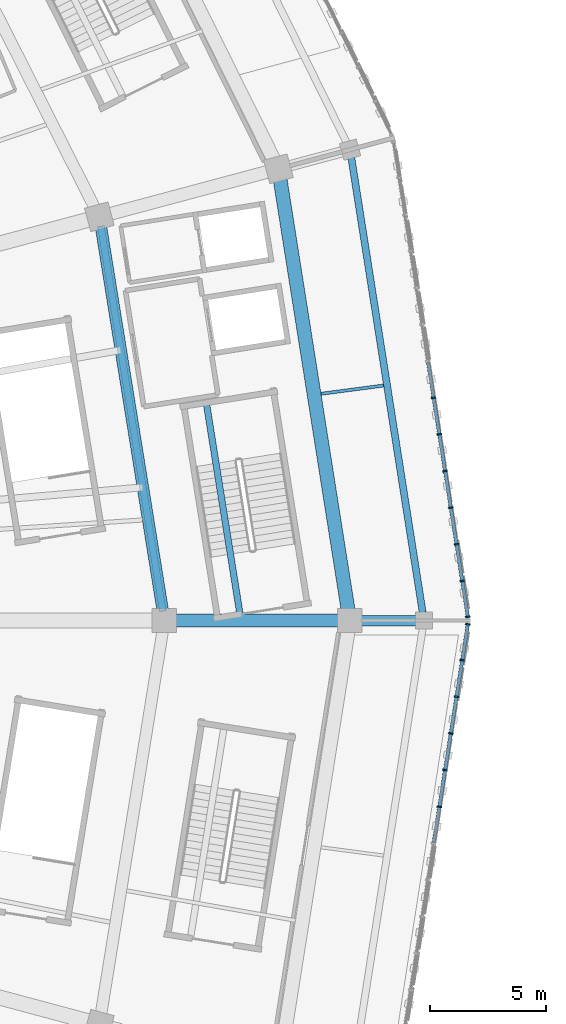
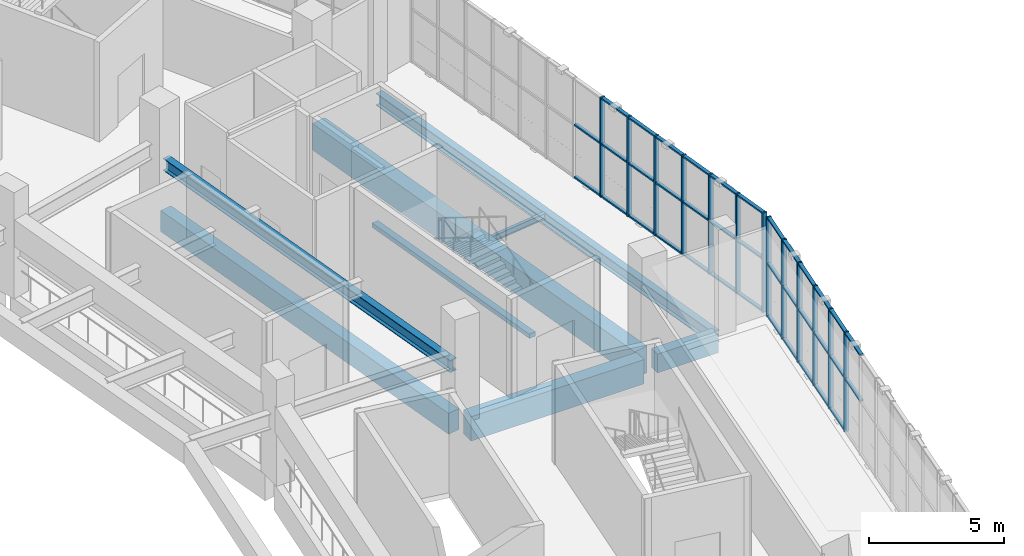
# One storey, part 42 of 179: 50 members, 8 beams, 2 elements without a shape of their own.
"""IFC4 building model written with IfcOpenShell, lengths in metres."""

import ifcopenshell
import ifcopenshell.guid

model = None  # the IFC model being written
_history = None  # IfcOwnerHistory: only IFC2X3 demands one
_inside = {}  # id of a spatial element -> (the spatial element, [elements in it])
_under = {}  # id of a project, library or spatial element -> (it, [spatial elements below it])
_declared = {}  # id of a project -> (the project, [libraries it declares])
_typed = {}  # id of a type object -> (the type object, [elements of that type])
_made_of = {}  # id of a material, layer set ... -> (it, [elements and type objects made of it])


def new_model(schema):
    """Start an empty IFC model of exactly this schema.

    Asked for "IFC4X3", IfcOpenShell would pick the latest addendum, in which some entities
    have other attributes; the version numbers below select the first issue.
    IFC2X3 requires an IfcOwnerHistory on every rooted entity: one is made here for all.
    """
    global model, _history
    if schema == "IFC4X3":
        model = ifcopenshell.file(schema_version=(4, 3, 0, 0))
    else:
        model = ifcopenshell.file(schema=schema)
    _inside.clear()
    _under.clear()
    _declared.clear()
    _typed.clear()
    _made_of.clear()
    _history = None
    if model.schema == "IFC2X3":
        org = make("IfcOrganization", Name="unknown")
        user = make(
            "IfcPersonAndOrganization",
            ThePerson=make("IfcPerson", FamilyName="unknown"),
            TheOrganization=org,
        )
        app = make(
            "IfcApplication",
            ApplicationDeveloper=org,
            Version="unknown",
            ApplicationFullName="unknown",
            ApplicationIdentifier="unknown",
        )
        _history = make(
            "IfcOwnerHistory",
            OwningUser=user,
            OwningApplication=app,
            ChangeAction="ADDED",
            CreationDate=0,
        )
    return model


def make(cls, **values):
    """One entity of the class cls with the attributes given. An attribute that is None is left unset."""
    return model.create_entity(
        cls, **{name: value for name, value in values.items() if value is not None}
    )


def rooted(cls, **values):
    """An entity with a GlobalId (a new one), such as an element, a storey or a relation."""
    return make(cls, GlobalId=ifcopenshell.guid.new(), OwnerHistory=_history, **values)


def si_unit(unit_type, name, prefix=None):
    """IfcSIUnit, for example si_unit("LENGTHUNIT", "METRE", prefix="MILLI")."""
    return make("IfcSIUnit", UnitType=unit_type, Prefix=prefix, Name=name)


def assignment(units):
    """IfcUnitAssignment: the units of a project."""
    return None if units is None else make("IfcUnitAssignment", Units=units)


def point(xyz):
    """IfcCartesianPoint."""
    return None if xyz is None else make("IfcCartesianPoint", Coordinates=xyz)


def direction(xyz):
    """IfcDirection."""
    return None if xyz is None else make("IfcDirection", DirectionRatios=xyz)


def frame(location, z_axis=None, x_axis=None):
    """IfcAxis2Placement3D, a coordinate frame: its origin and axes. An axis left out is left unset."""
    return make(
        "IfcAxis2Placement3D",
        Location=point(location),
        Axis=direction(z_axis),
        RefDirection=direction(x_axis),
    )


def frame_2d(location, x_axis=None):
    """IfcAxis2Placement2D, a coordinate frame in the plane: its origin and x axis."""
    return make(
        "IfcAxis2Placement2D", Location=point(location), RefDirection=direction(x_axis)
    )


def origin():
    """The frame at (0, 0, 0) with its axes left unset."""
    return frame((0.0, 0.0, 0.0))


def origin_2d():
    """The frame at (0, 0) in the plane with its x axis left unset."""
    return frame_2d((0.0, 0.0))


def place(relative_to, where):
    """IfcLocalPlacement: puts the frame where relative to a parent placement (None: the world)."""
    return make(
        "IfcLocalPlacement", PlacementRelTo=relative_to, RelativePlacement=where
    )


def context(
    kind, dimensions, precision=None, world=None, true_north=None, identifier=None
):
    """IfcGeometricRepresentationContext, for example the 3D "Model" context."""
    return make(
        "IfcGeometricRepresentationContext",
        ContextIdentifier=identifier,
        ContextType=kind,
        CoordinateSpaceDimension=dimensions,
        Precision=precision,
        WorldCoordinateSystem=world,
        TrueNorth=true_north,
    )


def subcontext(parent, identifier, kind, view, scale=None):
    """IfcGeometricRepresentationSubContext, for example "Body" below "Model"."""
    return make(
        "IfcGeometricRepresentationSubContext",
        ContextIdentifier=identifier,
        ContextType=kind,
        ParentContext=parent,
        TargetScale=scale,
        TargetView=view,
    )


def project(units=None, contexts=None):
    """IfcProject with its units and contexts."""
    return rooted(
        "IfcProject",
        Name="project",
        RepresentationContexts=contexts,
        UnitsInContext=assignment(units),
    )


def spatial(cls, under=None, at=None, **own):
    """A site, building, storey or space (cls), placed at a placement, below another one or the project."""
    s = rooted(cls, ObjectPlacement=at, **own)
    if under is not None:
        _under.setdefault(under.id(), (under, []))[1].append(s)
    return s


def profile(cls, at=None, kind="AREA", **sizes):
    """A parametric profile (cls). Its sizes go by their IFC names, for example OverallWidth=200.0."""
    return make(cls, ProfileType=kind, Position=at, **sizes)


def rectangle(**sizes):
    """IfcRectangleProfileDef."""
    return profile("IfcRectangleProfileDef", **sizes)


def i_section(**sizes):
    """IfcIShapeProfileDef."""
    return profile("IfcIShapeProfileDef", **sizes)


def extrude(swept, where, along, depth):
    """IfcExtrudedAreaSolid: the profile swept, set in the frame where, extruded along a direction by depth."""
    return make(
        "IfcExtrudedAreaSolid",
        SweptArea=swept,
        Position=where,
        ExtrudedDirection=direction(along),
        Depth=depth,
    )


def shape(context_of_items, identifier, shape_type, items):
    """IfcShapeRepresentation: the items that make up one representation, for example the "Body"."""
    return make(
        "IfcShapeRepresentation",
        ContextOfItems=context_of_items,
        RepresentationIdentifier=identifier,
        RepresentationType=shape_type,
        Items=items,
    )


def material(Name=None, Category=None):
    """IfcMaterial."""
    return make("IfcMaterial", Name=Name, Category=Category)


def material_profile(
    of_material, cross_section, Name=None, Category=None, Priority=None
):
    """IfcMaterialProfile: a cross section and its material."""
    return make(
        "IfcMaterialProfile",
        Name=Name,
        Material=of_material,
        Profile=cross_section,
        Priority=Priority,
        Category=Category,
    )


def profile_set(profiles, Name=None, composite=None):
    """IfcMaterialProfileSet."""
    return make(
        "IfcMaterialProfileSet",
        Name=Name,
        MaterialProfiles=profiles,
        CompositeProfile=composite,
    )


def made_of(thing, what):
    """Note that an element or type object is made of a material, layer set ...; save() writes the relation."""
    if what is not None:
        _made_of.setdefault(what.id(), (what, []))[1].append(thing)
    return thing


def type_object(cls, material=None, **own):
    """A type object (cls), such as IfcWallType, which elements share."""
    return made_of(rooted(cls, **own), material)


def element(
    cls,
    number,
    at=None,
    inside=None,
    cuts=None,
    type_object=None,
    material=None,
    context=None,
    identifier="Body",
    shape_type=None,
    held_by="IfcProductDefinitionShape",
    body=None,
    shapes=None,
    **own,
):
    """One element of the class cls, such as IfcWall. Its Tag is "e" and its number.

    at: its placement. inside: the storey or other place that contains it. cuts: it is an
    opening in that element (IfcRelVoidsElement). A single representation is given by context,
    identifier, shape_type and body (its items); several are given by shapes. held_by: the class
    of the entity that holds the representations. save() writes the other relations.
    """
    e = rooted(cls, Tag="e%d" % number, ObjectPlacement=at, **own)
    if body is not None:
        shapes = [shape(context, identifier, shape_type, body)]
    if shapes is not None:
        e.Representation = make(held_by, Representations=shapes)
    if inside is not None:
        _inside.setdefault(inside.id(), (inside, []))[1].append(e)
    if cuts is not None:
        rooted(
            "IfcRelVoidsElement", RelatingBuildingElement=cuts, RelatedOpeningElement=e
        )
    if type_object is not None:
        _typed.setdefault(type_object.id(), (type_object, []))[1].append(e)
    return made_of(e, material)


def aggregate(whole, parts):
    """IfcRelAggregates: a whole, such as a stair, and the parts it consists of."""
    return rooted("IfcRelAggregates", RelatingObject=whole, RelatedObjects=parts)


def save(model, path):
    """Write the relations noted so far, then the file.

    IfcRelAggregates (storeys below a building ...), IfcRelContainedInSpatialStructure (elements
    in a storey), IfcRelDefinesByType, IfcRelAssociatesMaterial and IfcRelDeclares: one each for
    every whole, place, type object, material and project.
    """
    for whole, parts in _under.values():
        aggregate(whole, parts)
    for where, things in _inside.values():
        rooted(
            "IfcRelContainedInSpatialStructure",
            RelatedElements=things,
            RelatingStructure=where,
        )
    for kind, things in _typed.values():
        rooted("IfcRelDefinesByType", RelatedObjects=things, RelatingType=kind)
    for what, things in _made_of.values():
        rooted("IfcRelAssociatesMaterial", RelatedObjects=things, RelatingMaterial=what)
    for by, libraries in _declared.values():
        rooted("IfcRelDeclares", RelatingContext=by, RelatedDefinitions=libraries)
    model.write(path)


model = new_model("IFC4")

# Units and contexts
model_context = context("Model", 3, precision=1e-05, world=origin(), true_north=direction((0.0, 1.0)))
body_context = subcontext(model_context, "Body", "Model", "MODEL_VIEW")
ifc_project = project(units=[si_unit("LENGTHUNIT", "METRE"), si_unit("AREAUNIT", "SQUARE_METRE"), si_unit("VOLUMEUNIT", "CUBIC_METRE"), si_unit("PLANEANGLEUNIT", "RADIAN"), si_unit("MASSUNIT", "GRAM", prefix="KILO")], contexts=[model_context])

# Site, building, storey
site_placement = place(None, origin())
site = spatial("IfcSite", under=ifc_project, at=site_placement, CompositionType="ELEMENT")
building_placement = place(site_placement, origin())
building = spatial("IfcBuilding", under=site, at=building_placement, Name="Zevraka Park Crest Stadium", CompositionType="ELEMENT")
storey_placement = place(building_placement, frame((0.0, 0.0, 10.199951171875)))
storey = spatial("IfcBuildingStorey", under=building, at=storey_placement, Name="L02", CompositionType="ELEMENT", Elevation=10.199951171875)

# Beams
ifc_material_1 = material(Name="Concrete C40/50", Category="concrete")
ifc_material_profile_1 = material_profile(ifc_material_1, rectangle(XDim=0.550048828125, YDim=1.10009765625, at=origin_2d()), Name="RC 1100x550")
ifc_profile_set_1 = profile_set([ifc_material_profile_1], Name="Concrete C40/50")
beam_type_1 = type_object("IfcBeamType", Name="BG02", PredefinedType="BEAM", material=ifc_profile_set_1)
beam_1_placement = place(storey_placement, frame((194.60009765625, 92.0, -0.56005859375), z_axis=(1.0, 0.0, 0.0), x_axis=(0.0, 1.0, 0.0)))
element("IfcBeam", 1, at=beam_1_placement, inside=storey, type_object=beam_type_1, Name="Radial Girder BG02 L02-CD-00", PredefinedType="BEAM", context=body_context, shape_type="SweptSolid", body=[
    extrude(rectangle(XDim=0.550048828125, YDim=1.10009765625, at=origin_2d()), origin(), (0.0, 0.0, 1.0), 7.39990234375),
])
ifc_material_2 = material(Name="Concrete C40/50", Category="concrete")
ifc_material_profile_2 = material_profile(ifc_material_2, rectangle(XDim=0.449951171875, YDim=0.85009765625, at=origin_2d()), Name="RC 850x450")
ifc_profile_set_2 = profile_set([ifc_material_profile_2], Name="Concrete C40/50")
beam_type_2 = type_object("IfcBeamType", Name="BG03", PredefinedType="BEAM", material=ifc_profile_set_2)
beam_2_placement = place(storey_placement, frame((202.60009765625, 92.0, -0.43505859375), z_axis=(1.0, 0.0, 0.0), x_axis=(0.0, 1.0, 0.0)))
element("IfcBeam", 2, at=beam_2_placement, inside=storey, type_object=beam_type_2, Name="Radial Girder BG03 L02-DE-00", PredefinedType="BEAM", context=body_context, shape_type="SweptSolid", body=[
    extrude(rectangle(XDim=0.449951171875, YDim=0.85009765625, at=origin_2d()), origin(), (0.0, 0.0, 1.0), 2.599853515625),
])

# Curtain wall, members
ifc_material_3 = material(Name="Anodised architectural aluminium and laminated safety glass", Category="aluminium")
curtain_wall_type = type_object("IfcCurtainWallType", Name="CW06", PredefinedType="NOTDEFINED", material=ifc_material_3)
curtain_wall_1_placement = place(storey_placement, origin())
curtain_wall_1 = element("IfcCurtainWall", 3, at=curtain_wall_1_placement, inside=storey, type_object=curtain_wall_type, Name="Unitised Ring Curtain Wall CW06 L02-00", PredefinedType="NOTDEFINED")
ifc_material_4 = material(Name="Anodised architectural aluminium", Category="aluminium")
ifc_material_profile_3 = material_profile(ifc_material_4, rectangle(XDim=0.199951171875, YDim=0.070068359375, at=origin_2d()), Name="ALU MULLION 200x70")
ifc_profile_set_3 = profile_set([ifc_material_profile_3], Name="Anodised architectural aluminium")
member_type_1 = type_object("IfcMemberType", Name="CM03", PredefinedType="MULLION", material=ifc_profile_set_3)
member_1_placement = place(storey_placement, frame((207.3935546875, 92.16064453125, 0.0), z_axis=(0.0, 0.0, 1.0), x_axis=(-0.988028063865, -0.154274252598, 0.0)))
member_1 = element("IfcMember", 4, at=member_1_placement, type_object=member_type_1, Name="CW06 mullion 1", PredefinedType="MULLION", context=body_context, shape_type="SweptSolid", body=[
    extrude(rectangle(XDim=0.199951171875, YDim=0.070068359375, at=origin_2d()), origin(), (0.0, 0.0, 1.0), 4.5),
])
member_2_placement = place(storey_placement, frame((207.152099609375, 93.707275390625, 0.0), z_axis=(0.0, 0.0, 1.0), x_axis=(-0.988028063865, -0.154274252598, 0.0)))
member_2 = element("IfcMember", 5, at=member_2_placement, type_object=member_type_1, Name="CW06 mullion 2", PredefinedType="MULLION", context=body_context, shape_type="SweptSolid", body=[
    extrude(rectangle(XDim=0.199951171875, YDim=0.070068359375, at=origin_2d()), origin(), (0.0, 0.0, 1.0), 4.5),
])
member_3_placement = place(storey_placement, frame((206.9052734375, 95.288818359375, 0.0), z_axis=(0.0, 0.0, 1.0), x_axis=(-0.988028063865, -0.154274252598, 0.0)))
member_3 = element("IfcMember", 6, at=member_3_placement, type_object=member_type_1, Name="CW06 mullion 3", PredefinedType="MULLION", context=body_context, shape_type="SweptSolid", body=[
    extrude(rectangle(XDim=0.199951171875, YDim=0.070068359375, at=origin_2d()), origin(), (0.0, 0.0, 1.0), 4.5),
])
member_4_placement = place(storey_placement, frame((206.658203125, 96.8701171875, 0.0), z_axis=(0.0, 0.0, 1.0), x_axis=(-0.988028063865, -0.154274252598, 0.0)))
member_4 = element("IfcMember", 7, at=member_4_placement, type_object=member_type_1, Name="CW06 mullion 4", PredefinedType="MULLION", context=body_context, shape_type="SweptSolid", body=[
    extrude(rectangle(XDim=0.199951171875, YDim=0.070068359375, at=origin_2d()), origin(), (0.0, 0.0, 1.0), 4.5),
])
member_5_placement = place(storey_placement, frame((206.411376953125, 98.45166015625, 0.0), z_axis=(0.0, 0.0, 1.0), x_axis=(-0.988028063865, -0.154274252598, 0.0)))
member_5 = element("IfcMember", 8, at=member_5_placement, type_object=member_type_1, Name="CW06 mullion 5", PredefinedType="MULLION", context=body_context, shape_type="SweptSolid", body=[
    extrude(rectangle(XDim=0.199951171875, YDim=0.070068359375, at=origin_2d()), origin(), (0.0, 0.0, 1.0), 4.5),
])
member_6_placement = place(storey_placement, frame((206.164306640625, 100.032958984375, 0.0), z_axis=(0.0, 0.0, 1.0), x_axis=(-0.988028063865, -0.154274252598, 0.0)))
member_6 = element("IfcMember", 9, at=member_6_placement, type_object=member_type_1, Name="CW06 mullion 6", PredefinedType="MULLION", context=body_context, shape_type="SweptSolid", body=[
    extrude(rectangle(XDim=0.199951171875, YDim=0.070068359375, at=origin_2d()), origin(), (0.0, 0.0, 1.0), 4.5),
])
member_7_placement = place(storey_placement, frame((205.91748046875, 101.6142578125, 0.0), z_axis=(0.0, 0.0, 1.0), x_axis=(-0.988028063865, -0.154274252598, 0.0)))
member_7 = element("IfcMember", 10, at=member_7_placement, type_object=member_type_1, Name="CW06 mullion 7", PredefinedType="MULLION", context=body_context, shape_type="SweptSolid", body=[
    extrude(rectangle(XDim=0.199951171875, YDim=0.070068359375, at=origin_2d()), origin(), (0.0, 0.0, 1.0), 4.5),
])

curtain_wall_2_placement = place(storey_placement, origin())
curtain_wall_2 = element("IfcCurtainWall", 11, at=curtain_wall_2_placement, inside=storey, type_object=curtain_wall_type, Name="Unitised Ring Curtain Wall CW06 L02-23", PredefinedType="NOTDEFINED")
member_8_placement = place(storey_placement, frame((206.164306640625, 83.967041015625, 0.0), z_axis=(0.0, 0.0, 1.0), x_axis=(-0.988028063865, 0.154274252598, 0.0)))
member_8 = element("IfcMember", 12, at=member_8_placement, type_object=member_type_1, Name="CW06 mullion 9", PredefinedType="MULLION", context=body_context, shape_type="SweptSolid", body=[
    extrude(rectangle(XDim=0.199951171875, YDim=0.070068359375, at=origin_2d()), origin(), (0.0, 0.0, 1.0), 4.5),
])
member_9_placement = place(storey_placement, frame((206.411376953125, 85.54833984375, 0.0), z_axis=(0.0, 0.0, 1.0), x_axis=(-0.988028063865, 0.154274252598, 0.0)))
member_9 = element("IfcMember", 13, at=member_9_placement, type_object=member_type_1, Name="CW06 mullion 10", PredefinedType="MULLION", context=body_context, shape_type="SweptSolid", body=[
    extrude(rectangle(XDim=0.199951171875, YDim=0.070068359375, at=origin_2d()), origin(), (0.0, 0.0, 1.0), 4.5),
])
member_10_placement = place(storey_placement, frame((206.658203125, 87.1298828125, 0.0), z_axis=(0.0, 0.0, 1.0), x_axis=(-0.988028063865, 0.154274252598, 0.0)))
member_10 = element("IfcMember", 14, at=member_10_placement, type_object=member_type_1, Name="CW06 mullion 11", PredefinedType="MULLION", context=body_context, shape_type="SweptSolid", body=[
    extrude(rectangle(XDim=0.199951171875, YDim=0.070068359375, at=origin_2d()), origin(), (0.0, 0.0, 1.0), 4.5),
])
member_11_placement = place(storey_placement, frame((206.9052734375, 88.711181640625, 0.0), z_axis=(0.0, 0.0, 1.0), x_axis=(-0.988028063865, 0.154274252598, 0.0)))
member_11 = element("IfcMember", 15, at=member_11_placement, type_object=member_type_1, Name="CW06 mullion 12", PredefinedType="MULLION", context=body_context, shape_type="SweptSolid", body=[
    extrude(rectangle(XDim=0.199951171875, YDim=0.070068359375, at=origin_2d()), origin(), (0.0, 0.0, 1.0), 4.5),
])
member_12_placement = place(storey_placement, frame((207.152099609375, 90.292724609375, 0.0), z_axis=(0.0, 0.0, 1.0), x_axis=(-0.988028063865, 0.154274252598, 0.0)))
member_12 = element("IfcMember", 16, at=member_12_placement, type_object=member_type_1, Name="CW06 mullion 13", PredefinedType="MULLION", context=body_context, shape_type="SweptSolid", body=[
    extrude(rectangle(XDim=0.199951171875, YDim=0.070068359375, at=origin_2d()), origin(), (0.0, 0.0, 1.0), 4.5),
])
member_13_placement = place(storey_placement, frame((207.3935546875, 91.83935546875, 0.0), z_axis=(0.0, 0.0, 1.0), x_axis=(-0.988028063865, 0.154274252598, 0.0)))
member_13 = element("IfcMember", 17, at=member_13_placement, type_object=member_type_1, Name="CW06 mullion 14", PredefinedType="MULLION", context=body_context, shape_type="SweptSolid", body=[
    extrude(rectangle(XDim=0.199951171875, YDim=0.070068359375, at=origin_2d()), origin(), (0.0, 0.0, 1.0), 4.5),
])

# Member
ifc_material_5 = material(Name="Anodised architectural aluminium", Category="aluminium")
ifc_material_profile_4 = material_profile(ifc_material_5, rectangle(XDim=0.14990234375, YDim=0.070068359375, at=origin_2d()), Name="ALU TRANSOM 150x70")
ifc_profile_set_4 = profile_set([ifc_material_profile_4], Name="Anodised architectural aluminium")
member_type_2 = type_object("IfcMemberType", Name="CT03", PredefinedType="USERDEFINED", material=ifc_profile_set_4)
member_14_placement = place(storey_placement, frame((207.38818359375, 92.195068359375, 0.03515625), z_axis=(-0.154252394741, 0.988031476582, 0.0), x_axis=(-0.988031476582, -0.154252394741, 0.0)))
member_14 = element("IfcMember", 18, at=member_14_placement, type_object=member_type_2, Name="CW06 transom 1.1", ObjectType="TRANSOM", PredefinedType="USERDEFINED", context=body_context, shape_type="SweptSolid", body=[
    extrude(rectangle(XDim=0.14990234375, YDim=0.070068359375, at=origin_2d()), origin(), (0.0, 0.0, 1.0), 1.49560546875),
])

member_15_placement = place(storey_placement, frame((207.38818359375, 92.195068359375, 2.400146484375), z_axis=(-0.154252394741, 0.988031476582, 0.0), x_axis=(-0.988031476582, -0.154252394741, 0.0)))
member_15 = element("IfcMember", 19, at=member_15_placement, type_object=member_type_2, Name="CW06 transom 1.2", ObjectType="TRANSOM", PredefinedType="USERDEFINED", context=body_context, shape_type="SweptSolid", body=[
    extrude(rectangle(XDim=0.14990234375, YDim=0.070068359375, at=origin_2d()), origin(), (0.0, 0.0, 1.0), 1.49560546875),
])

member_16_placement = place(storey_placement, frame((207.38818359375, 92.195068359375, 4.465087890625), z_axis=(-0.154252394741, 0.988031476582, 0.0), x_axis=(-0.988031476582, -0.154252394741, 0.0)))
member_16 = element("IfcMember", 20, at=member_16_placement, type_object=member_type_2, Name="CW06 transom 1.3", ObjectType="TRANSOM", PredefinedType="USERDEFINED", context=body_context, shape_type="SweptSolid", body=[
    extrude(rectangle(XDim=0.14990234375, YDim=0.070068359375, at=origin_2d()), origin(), (0.0, 0.0, 1.0), 1.49560546875),
])

member_17_placement = place(storey_placement, frame((207.146728515625, 93.741943359375, 0.03515625), z_axis=(-0.154250362395, 0.988031793872, 0.0), x_axis=(-0.988031793872, -0.154250362395, 0.0)))
member_17 = element("IfcMember", 21, at=member_17_placement, type_object=member_type_2, Name="CW06 transom 2.1", ObjectType="TRANSOM", PredefinedType="USERDEFINED", context=body_context, shape_type="SweptSolid", body=[
    extrude(rectangle(XDim=0.14990234375, YDim=0.070068359375, at=origin_2d()), origin(), (0.0, 0.0, 1.0), 1.530517578125),
])

member_18_placement = place(storey_placement, frame((207.146728515625, 93.741943359375, 2.400146484375), z_axis=(-0.154250362395, 0.988031793872, 0.0), x_axis=(-0.988031793872, -0.154250362395, 0.0)))
member_18 = element("IfcMember", 22, at=member_18_placement, type_object=member_type_2, Name="CW06 transom 2.2", ObjectType="TRANSOM", PredefinedType="USERDEFINED", context=body_context, shape_type="SweptSolid", body=[
    extrude(rectangle(XDim=0.14990234375, YDim=0.070068359375, at=origin_2d()), origin(), (0.0, 0.0, 1.0), 1.530517578125),
])

member_19_placement = place(storey_placement, frame((207.146728515625, 93.741943359375, 4.465087890625), z_axis=(-0.154250362395, 0.988031793872, 0.0), x_axis=(-0.988031793872, -0.154250362395, 0.0)))
member_19 = element("IfcMember", 23, at=member_19_placement, type_object=member_type_2, Name="CW06 transom 2.3", ObjectType="TRANSOM", PredefinedType="USERDEFINED", context=body_context, shape_type="SweptSolid", body=[
    extrude(rectangle(XDim=0.14990234375, YDim=0.070068359375, at=origin_2d()), origin(), (0.0, 0.0, 1.0), 1.530517578125),
])

member_20_placement = place(storey_placement, frame((206.899658203125, 95.3232421875, 0.03515625), z_axis=(-0.154226055514, 0.988035588327, 0.0), x_axis=(-0.988035588327, -0.154226055514, 0.0)))
member_20 = element("IfcMember", 24, at=member_20_placement, type_object=member_type_2, Name="CW06 transom 3.1", ObjectType="TRANSOM", PredefinedType="USERDEFINED", context=body_context, shape_type="SweptSolid", body=[
    extrude(rectangle(XDim=0.14990234375, YDim=0.070068359375, at=origin_2d()), origin(), (0.0, 0.0, 1.0), 1.53076171875),
])

member_21_placement = place(storey_placement, frame((206.899658203125, 95.3232421875, 2.400146484375), z_axis=(-0.154226055514, 0.988035588327, 0.0), x_axis=(-0.988035588327, -0.154226055514, 0.0)))
member_21 = element("IfcMember", 25, at=member_21_placement, type_object=member_type_2, Name="CW06 transom 3.2", ObjectType="TRANSOM", PredefinedType="USERDEFINED", context=body_context, shape_type="SweptSolid", body=[
    extrude(rectangle(XDim=0.14990234375, YDim=0.070068359375, at=origin_2d()), origin(), (0.0, 0.0, 1.0), 1.53076171875),
])

member_22_placement = place(storey_placement, frame((206.899658203125, 95.3232421875, 4.465087890625), z_axis=(-0.154226055514, 0.988035588327, 0.0), x_axis=(-0.988035588327, -0.154226055514, 0.0)))
member_22 = element("IfcMember", 26, at=member_22_placement, type_object=member_type_2, Name="CW06 transom 3.3", ObjectType="TRANSOM", PredefinedType="USERDEFINED", context=body_context, shape_type="SweptSolid", body=[
    extrude(rectangle(XDim=0.14990234375, YDim=0.070068359375, at=origin_2d()), origin(), (0.0, 0.0, 1.0), 1.53076171875),
])

member_23_placement = place(storey_placement, frame((206.65283203125, 96.90478515625, 0.03515625), z_axis=(-0.154250362395, 0.988031793872, 0.0), x_axis=(-0.988031793872, -0.154250362395, 0.0)))
member_23 = element("IfcMember", 27, at=member_23_placement, type_object=member_type_2, Name="CW06 transom 4.1", ObjectType="TRANSOM", PredefinedType="USERDEFINED", context=body_context, shape_type="SweptSolid", body=[
    extrude(rectangle(XDim=0.14990234375, YDim=0.070068359375, at=origin_2d()), origin(), (0.0, 0.0, 1.0), 1.530517578125),
])

member_24_placement = place(storey_placement, frame((206.65283203125, 96.90478515625, 2.400146484375), z_axis=(-0.154250362395, 0.988031793872, 0.0), x_axis=(-0.988031793872, -0.154250362395, 0.0)))
member_24 = element("IfcMember", 28, at=member_24_placement, type_object=member_type_2, Name="CW06 transom 4.2", ObjectType="TRANSOM", PredefinedType="USERDEFINED", context=body_context, shape_type="SweptSolid", body=[
    extrude(rectangle(XDim=0.14990234375, YDim=0.070068359375, at=origin_2d()), origin(), (0.0, 0.0, 1.0), 1.530517578125),
])

member_25_placement = place(storey_placement, frame((206.65283203125, 96.90478515625, 4.465087890625), z_axis=(-0.154250362395, 0.988031793872, 0.0), x_axis=(-0.988031793872, -0.154250362395, 0.0)))
member_25 = element("IfcMember", 29, at=member_25_placement, type_object=member_type_2, Name="CW06 transom 4.3", ObjectType="TRANSOM", PredefinedType="USERDEFINED", context=body_context, shape_type="SweptSolid", body=[
    extrude(rectangle(XDim=0.14990234375, YDim=0.070068359375, at=origin_2d()), origin(), (0.0, 0.0, 1.0), 1.530517578125),
])

member_26_placement = place(storey_placement, frame((206.406005859375, 98.486083984375, 0.03515625), z_axis=(-0.154406075629, 0.988007471535, 0.0), x_axis=(-0.988007471535, -0.154406075629, 0.0)))
member_26 = element("IfcMember", 30, at=member_26_placement, type_object=member_type_2, Name="CW06 transom 5.1", ObjectType="TRANSOM", PredefinedType="USERDEFINED", context=body_context, shape_type="SweptSolid", body=[
    extrude(rectangle(XDim=0.14990234375, YDim=0.070068359375, at=origin_2d()), origin(), (0.0, 0.0, 1.0), 1.530517578125),
])

member_27_placement = place(storey_placement, frame((206.406005859375, 98.486083984375, 2.400146484375), z_axis=(-0.154406075629, 0.988007471535, 0.0), x_axis=(-0.988007471535, -0.154406075629, 0.0)))
member_27 = element("IfcMember", 31, at=member_27_placement, type_object=member_type_2, Name="CW06 transom 5.2", ObjectType="TRANSOM", PredefinedType="USERDEFINED", context=body_context, shape_type="SweptSolid", body=[
    extrude(rectangle(XDim=0.14990234375, YDim=0.070068359375, at=origin_2d()), origin(), (0.0, 0.0, 1.0), 1.530517578125),
])

member_28_placement = place(storey_placement, frame((206.406005859375, 98.486083984375, 4.465087890625), z_axis=(-0.154406075629, 0.988007471535, 0.0), x_axis=(-0.988007471535, -0.154406075629, 0.0)))
member_28 = element("IfcMember", 32, at=member_28_placement, type_object=member_type_2, Name="CW06 transom 5.3", ObjectType="TRANSOM", PredefinedType="USERDEFINED", context=body_context, shape_type="SweptSolid", body=[
    extrude(rectangle(XDim=0.14990234375, YDim=0.070068359375, at=origin_2d()), origin(), (0.0, 0.0, 1.0), 1.530517578125),
])

member_29_placement = place(storey_placement, frame((206.158935546875, 100.0673828125, 0.03515625), z_axis=(-0.154226055514, 0.988035588327, 0.0), x_axis=(-0.988035588327, -0.154226055514, 0.0)))
member_29 = element("IfcMember", 33, at=member_29_placement, type_object=member_type_2, Name="CW06 transom 6.1", ObjectType="TRANSOM", PredefinedType="USERDEFINED", context=body_context, shape_type="SweptSolid", body=[
    extrude(rectangle(XDim=0.14990234375, YDim=0.070068359375, at=origin_2d()), origin(), (0.0, 0.0, 1.0), 1.53076171875),
])

member_30_placement = place(storey_placement, frame((206.158935546875, 100.0673828125, 2.400146484375), z_axis=(-0.154226055514, 0.988035588327, 0.0), x_axis=(-0.988035588327, -0.154226055514, 0.0)))
member_30 = element("IfcMember", 34, at=member_30_placement, type_object=member_type_2, Name="CW06 transom 6.2", ObjectType="TRANSOM", PredefinedType="USERDEFINED", context=body_context, shape_type="SweptSolid", body=[
    extrude(rectangle(XDim=0.14990234375, YDim=0.070068359375, at=origin_2d()), origin(), (0.0, 0.0, 1.0), 1.53076171875),
])

member_31_placement = place(storey_placement, frame((206.158935546875, 100.0673828125, 4.465087890625), z_axis=(-0.154226055514, 0.988035588327, 0.0), x_axis=(-0.988035588327, -0.154226055514, 0.0)))
member_31 = element("IfcMember", 35, at=member_31_placement, type_object=member_type_2, Name="CW06 transom 6.3", ObjectType="TRANSOM", PredefinedType="USERDEFINED", context=body_context, shape_type="SweptSolid", body=[
    extrude(rectangle(XDim=0.14990234375, YDim=0.070068359375, at=origin_2d()), origin(), (0.0, 0.0, 1.0), 1.53076171875),
])

member_32_placement = place(storey_placement, frame((205.912109375, 101.64892578125, 0.03515625), z_axis=(-0.154250362395, 0.988031793872, 0.0), x_axis=(-0.988031793872, -0.154250362395, 0.0)))
member_32 = element("IfcMember", 36, at=member_32_placement, type_object=member_type_2, Name="CW06 transom 7.1", ObjectType="TRANSOM", PredefinedType="USERDEFINED", context=body_context, shape_type="SweptSolid", body=[
    extrude(rectangle(XDim=0.14990234375, YDim=0.070068359375, at=origin_2d()), origin(), (0.0, 0.0, 1.0), 1.530517578125),
])

member_33_placement = place(storey_placement, frame((205.912109375, 101.64892578125, 2.400146484375), z_axis=(-0.154250362395, 0.988031793872, 0.0), x_axis=(-0.988031793872, -0.154250362395, 0.0)))
member_33 = element("IfcMember", 37, at=member_33_placement, type_object=member_type_2, Name="CW06 transom 7.2", ObjectType="TRANSOM", PredefinedType="USERDEFINED", context=body_context, shape_type="SweptSolid", body=[
    extrude(rectangle(XDim=0.14990234375, YDim=0.070068359375, at=origin_2d()), origin(), (0.0, 0.0, 1.0), 1.530517578125),
])

aggregate(curtain_wall_1, [member_1, member_2, member_3, member_4, member_5, member_6, member_7, member_14, member_15, member_16, member_17, member_18, member_19, member_20, member_21, member_22, member_23, member_24, member_25, member_26, member_27, member_28, member_29, member_30, member_31, member_32, member_33])

member_34_placement = place(storey_placement, frame((205.9228515625, 82.420166015625, 2.400146484375), z_axis=(0.154226055514, 0.988035588327, 0.0), x_axis=(-0.988035588327, 0.154226055514, 0.0)))
member_34 = element("IfcMember", 38, at=member_34_placement, type_object=member_type_2, Name="CW06 transom 8.2", ObjectType="TRANSOM", PredefinedType="USERDEFINED", context=body_context, shape_type="SweptSolid", body=[
    extrude(rectangle(XDim=0.14990234375, YDim=0.070068359375, at=origin_2d()), origin(), (0.0, 0.0, 1.0), 1.53076171875),
])

member_35_placement = place(storey_placement, frame((205.9228515625, 82.420166015625, 4.465087890625), z_axis=(0.154226055514, 0.988035588327, 0.0), x_axis=(-0.988035588327, 0.154226055514, 0.0)))
member_35 = element("IfcMember", 39, at=member_35_placement, type_object=member_type_2, Name="CW06 transom 8.3", ObjectType="TRANSOM", PredefinedType="USERDEFINED", context=body_context, shape_type="SweptSolid", body=[
    extrude(rectangle(XDim=0.14990234375, YDim=0.070068359375, at=origin_2d()), origin(), (0.0, 0.0, 1.0), 1.53076171875),
])

member_36_placement = place(storey_placement, frame((206.169677734375, 84.001708984375, 0.03515625), z_axis=(0.154406075629, 0.988007471535, 0.0), x_axis=(-0.988007471535, 0.154406075629, 0.0)))
member_36 = element("IfcMember", 40, at=member_36_placement, type_object=member_type_2, Name="CW06 transom 9.1", ObjectType="TRANSOM", PredefinedType="USERDEFINED", context=body_context, shape_type="SweptSolid", body=[
    extrude(rectangle(XDim=0.14990234375, YDim=0.070068359375, at=origin_2d()), origin(), (0.0, 0.0, 1.0), 1.530517578125),
])

member_37_placement = place(storey_placement, frame((206.169677734375, 84.001708984375, 2.400146484375), z_axis=(0.154406075629, 0.988007471535, 0.0), x_axis=(-0.988007471535, 0.154406075629, 0.0)))
member_37 = element("IfcMember", 41, at=member_37_placement, type_object=member_type_2, Name="CW06 transom 9.2", ObjectType="TRANSOM", PredefinedType="USERDEFINED", context=body_context, shape_type="SweptSolid", body=[
    extrude(rectangle(XDim=0.14990234375, YDim=0.070068359375, at=origin_2d()), origin(), (0.0, 0.0, 1.0), 1.530517578125),
])

member_38_placement = place(storey_placement, frame((206.169677734375, 84.001708984375, 4.465087890625), z_axis=(0.154406075629, 0.988007471535, 0.0), x_axis=(-0.988007471535, 0.154406075629, 0.0)))
member_38 = element("IfcMember", 42, at=member_38_placement, type_object=member_type_2, Name="CW06 transom 9.3", ObjectType="TRANSOM", PredefinedType="USERDEFINED", context=body_context, shape_type="SweptSolid", body=[
    extrude(rectangle(XDim=0.14990234375, YDim=0.070068359375, at=origin_2d()), origin(), (0.0, 0.0, 1.0), 1.530517578125),
])

member_39_placement = place(storey_placement, frame((206.416748046875, 85.5830078125, 0.03515625), z_axis=(0.154250362395, 0.988031793872, 0.0), x_axis=(-0.988031793872, 0.154250362395, 0.0)))
member_39 = element("IfcMember", 43, at=member_39_placement, type_object=member_type_2, Name="CW06 transom 10.1", ObjectType="TRANSOM", PredefinedType="USERDEFINED", context=body_context, shape_type="SweptSolid", body=[
    extrude(rectangle(XDim=0.14990234375, YDim=0.070068359375, at=origin_2d()), origin(), (0.0, 0.0, 1.0), 1.530517578125),
])

member_40_placement = place(storey_placement, frame((206.416748046875, 85.5830078125, 2.400146484375), z_axis=(0.154250362395, 0.988031793872, 0.0), x_axis=(-0.988031793872, 0.154250362395, 0.0)))
member_40 = element("IfcMember", 44, at=member_40_placement, type_object=member_type_2, Name="CW06 transom 10.2", ObjectType="TRANSOM", PredefinedType="USERDEFINED", context=body_context, shape_type="SweptSolid", body=[
    extrude(rectangle(XDim=0.14990234375, YDim=0.070068359375, at=origin_2d()), origin(), (0.0, 0.0, 1.0), 1.530517578125),
])

member_41_placement = place(storey_placement, frame((206.416748046875, 85.5830078125, 4.465087890625), z_axis=(0.154250362395, 0.988031793872, 0.0), x_axis=(-0.988031793872, 0.154250362395, 0.0)))
member_41 = element("IfcMember", 45, at=member_41_placement, type_object=member_type_2, Name="CW06 transom 10.3", ObjectType="TRANSOM", PredefinedType="USERDEFINED", context=body_context, shape_type="SweptSolid", body=[
    extrude(rectangle(XDim=0.14990234375, YDim=0.070068359375, at=origin_2d()), origin(), (0.0, 0.0, 1.0), 1.530517578125),
])

member_42_placement = place(storey_placement, frame((206.66357421875, 87.164306640625, 0.03515625), z_axis=(0.154226055514, 0.988035588327, 0.0), x_axis=(-0.988035588327, 0.154226055514, 0.0)))
member_42 = element("IfcMember", 46, at=member_42_placement, type_object=member_type_2, Name="CW06 transom 11.1", ObjectType="TRANSOM", PredefinedType="USERDEFINED", context=body_context, shape_type="SweptSolid", body=[
    extrude(rectangle(XDim=0.14990234375, YDim=0.070068359375, at=origin_2d()), origin(), (0.0, 0.0, 1.0), 1.53076171875),
])

member_43_placement = place(storey_placement, frame((206.66357421875, 87.164306640625, 2.400146484375), z_axis=(0.154226055514, 0.988035588327, 0.0), x_axis=(-0.988035588327, 0.154226055514, 0.0)))
member_43 = element("IfcMember", 47, at=member_43_placement, type_object=member_type_2, Name="CW06 transom 11.2", ObjectType="TRANSOM", PredefinedType="USERDEFINED", context=body_context, shape_type="SweptSolid", body=[
    extrude(rectangle(XDim=0.14990234375, YDim=0.070068359375, at=origin_2d()), origin(), (0.0, 0.0, 1.0), 1.53076171875),
])

member_44_placement = place(storey_placement, frame((206.66357421875, 87.164306640625, 4.465087890625), z_axis=(0.154226055514, 0.988035588327, 0.0), x_axis=(-0.988035588327, 0.154226055514, 0.0)))
member_44 = element("IfcMember", 48, at=member_44_placement, type_object=member_type_2, Name="CW06 transom 11.3", ObjectType="TRANSOM", PredefinedType="USERDEFINED", context=body_context, shape_type="SweptSolid", body=[
    extrude(rectangle(XDim=0.14990234375, YDim=0.070068359375, at=origin_2d()), origin(), (0.0, 0.0, 1.0), 1.53076171875),
])

member_45_placement = place(storey_placement, frame((206.91064453125, 88.745849609375, 0.03515625), z_axis=(0.154250362395, 0.988031793872, 0.0), x_axis=(-0.988031793872, 0.154250362395, 0.0)))
member_45 = element("IfcMember", 49, at=member_45_placement, type_object=member_type_2, Name="CW06 transom 12.1", ObjectType="TRANSOM", PredefinedType="USERDEFINED", context=body_context, shape_type="SweptSolid", body=[
    extrude(rectangle(XDim=0.14990234375, YDim=0.070068359375, at=origin_2d()), origin(), (0.0, 0.0, 1.0), 1.530517578125),
])

member_46_placement = place(storey_placement, frame((206.91064453125, 88.745849609375, 2.400146484375), z_axis=(0.154250362395, 0.988031793872, 0.0), x_axis=(-0.988031793872, 0.154250362395, 0.0)))
member_46 = element("IfcMember", 50, at=member_46_placement, type_object=member_type_2, Name="CW06 transom 12.2", ObjectType="TRANSOM", PredefinedType="USERDEFINED", context=body_context, shape_type="SweptSolid", body=[
    extrude(rectangle(XDim=0.14990234375, YDim=0.070068359375, at=origin_2d()), origin(), (0.0, 0.0, 1.0), 1.530517578125),
])

member_47_placement = place(storey_placement, frame((206.91064453125, 88.745849609375, 4.465087890625), z_axis=(0.154250362395, 0.988031793872, 0.0), x_axis=(-0.988031793872, 0.154250362395, 0.0)))
member_47 = element("IfcMember", 51, at=member_47_placement, type_object=member_type_2, Name="CW06 transom 12.3", ObjectType="TRANSOM", PredefinedType="USERDEFINED", context=body_context, shape_type="SweptSolid", body=[
    extrude(rectangle(XDim=0.14990234375, YDim=0.070068359375, at=origin_2d()), origin(), (0.0, 0.0, 1.0), 1.530517578125),
])

member_48_placement = place(storey_placement, frame((207.157470703125, 90.3271484375, 0.03515625), z_axis=(0.154252394741, 0.988031476582, 0.0), x_axis=(-0.988031476582, 0.154252394741, 0.0)))
member_48 = element("IfcMember", 52, at=member_48_placement, type_object=member_type_2, Name="CW06 transom 13.1", ObjectType="TRANSOM", PredefinedType="USERDEFINED", context=body_context, shape_type="SweptSolid", body=[
    extrude(rectangle(XDim=0.14990234375, YDim=0.070068359375, at=origin_2d()), origin(), (0.0, 0.0, 1.0), 1.49560546875),
])

member_49_placement = place(storey_placement, frame((207.157470703125, 90.3271484375, 2.400146484375), z_axis=(0.154252394741, 0.988031476582, 0.0), x_axis=(-0.988031476582, 0.154252394741, 0.0)))
member_49 = element("IfcMember", 53, at=member_49_placement, type_object=member_type_2, Name="CW06 transom 13.2", ObjectType="TRANSOM", PredefinedType="USERDEFINED", context=body_context, shape_type="SweptSolid", body=[
    extrude(rectangle(XDim=0.14990234375, YDim=0.070068359375, at=origin_2d()), origin(), (0.0, 0.0, 1.0), 1.49560546875),
])

member_50_placement = place(storey_placement, frame((207.157470703125, 90.3271484375, 4.465087890625), z_axis=(0.154252394741, 0.988031476582, 0.0), x_axis=(-0.988031476582, 0.154252394741, 0.0)))
member_50 = element("IfcMember", 54, at=member_50_placement, type_object=member_type_2, Name="CW06 transom 13.3", ObjectType="TRANSOM", PredefinedType="USERDEFINED", context=body_context, shape_type="SweptSolid", body=[
    extrude(rectangle(XDim=0.14990234375, YDim=0.070068359375, at=origin_2d()), origin(), (0.0, 0.0, 1.0), 1.49560546875),
])

aggregate(curtain_wall_2, [member_8, member_9, member_10, member_11, member_12, member_13, member_34, member_35, member_36, member_37, member_38, member_39, member_40, member_41, member_42, member_43, member_44, member_45, member_46, member_47, member_48, member_49, member_50])

# Beams
ifc_material_6 = material(Name="Concrete C40/50", Category="concrete")
ifc_material_profile_5 = material_profile(ifc_material_6, rectangle(XDim=0.60009765625, YDim=1.199951171875, at=origin_2d()), Name="RC 1200x600")
ifc_profile_set_5 = profile_set([ifc_material_profile_5], Name="Concrete C40/50")
beam_type_3 = type_object("IfcBeamType", Name="RB01", PredefinedType="BEAM", material=ifc_profile_set_5)
beam_3_placement = place(storey_placement, frame((202.240966796875, 92.375, -0.60986328125), z_axis=(-0.155972486086, 0.987761400129, 0.0), x_axis=(-0.987761400129, -0.155972486086, 0.0)))
element("IfcBeam", 55, at=beam_3_placement, inside=storey, type_object=beam_type_3, Name="Ring Beam RB01 L02-D-00", PredefinedType="BEAM", context=body_context, shape_type="SweptSolid", body=[
    extrude(rectangle(XDim=0.60009765625, YDim=1.199951171875, at=origin_2d()), origin(), (0.0, 0.0, 1.0), 18.97119140625),
])
ifc_material_7 = material(Name="Concrete C40/50", Category="concrete")
ifc_material_profile_6 = material_profile(ifc_material_7, rectangle(XDim=0.5, YDim=0.949951171875, at=origin_2d()), Name="RC 950x500")
ifc_profile_set_6 = profile_set([ifc_material_profile_6], Name="Concrete C40/50")
beam_type_4 = type_object("IfcBeamType", Name="RB02", PredefinedType="BEAM", material=ifc_profile_set_6)
beam_4_placement = place(storey_placement, frame((194.239990234375, 92.375, -0.48486328125), z_axis=(-0.158975112778, 0.987282590507, 0.0), x_axis=(-0.987282590507, -0.158975112778, 0.0)))
element("IfcBeam", 56, at=beam_4_placement, inside=storey, type_object=beam_type_4, Name="Ring Beam RB02 L02-C-00", PredefinedType="BEAM", context=body_context, shape_type="SweptSolid", body=[
    extrude(rectangle(XDim=0.5, YDim=0.949951171875, at=origin_2d()), origin(), (0.0, 0.0, 1.0), 16.883544921875),
])
ifc_material_8 = material(Name="Steel S355", Category="steel")
ifc_material_profile_7 = material_profile(ifc_material_8, i_section(OverallWidth=0.300048828125, OverallDepth=0.550048828125, WebThickness=0.014892578125, FlangeThickness=0.029052734375, at=origin_2d()), Name="HEB 550")
ifc_profile_set_7 = profile_set([ifc_material_profile_7], Name="Steel S355")
beam_type_5 = type_object("IfcBeamType", Name="RB04", PredefinedType="BEAM", material=ifc_profile_set_7)
beam_5_placement = place(storey_placement, frame((205.446044921875, 92.345947265625, -0.5849609375), z_axis=(-0.154952716421, 0.987921887435, 0.0), x_axis=(-0.987921887435, -0.154952716421, 0.0)))
element("IfcBeam", 57, at=beam_5_placement, inside=storey, type_object=beam_type_5, Name="Ring Beam RB04 L02-E-00", PredefinedType="BEAM", context=body_context, shape_type="SweptSolid", body=[
    extrude(i_section(OverallWidth=0.300048828125, OverallDepth=0.550048828125, WebThickness=0.014892578125, FlangeThickness=0.029052734375, at=origin_2d()), origin(), (0.0, 0.0, 1.0), 19.864990234375),
])
beam_6_placement = place(storey_placement, frame((194.236083984375, 92.39501953125, 2.047119140625), z_axis=(-0.158881971129, 0.987297583938, 0.0), x_axis=(-0.987297583938, -0.158881971129, 0.0)))
element("IfcBeam", 58, at=beam_6_placement, inside=storey, type_object=beam_type_5, Name="Vomitory Cantilever Anchor Support Beam RB04 00", PredefinedType="BEAM", context=body_context, shape_type="SweptSolid", body=[
    extrude(i_section(OverallWidth=0.300048828125, OverallDepth=0.550048828125, WebThickness=0.014892578125, FlangeThickness=0.029052734375, at=origin_2d()), origin(), (0.0, 0.0, 1.0), 16.8427734375),
])
ifc_material_9 = material(Name="Steel S355", Category="steel")
ifc_material_profile_8 = material_profile(ifc_material_9, i_section(OverallWidth=0.135009765625, OverallDepth=0.27001953125, WebThickness=0.006591796875, FlangeThickness=0.01025390625, at=origin_2d()), Name="IPE 270")
ifc_profile_set_8 = profile_set([ifc_material_profile_8], Name="Steel S355")
beam_type_6 = type_object("IfcBeamType", Name="SJ07", PredefinedType="JOIST", material=ifc_profile_set_8)
beam_7_placement = place(storey_placement, frame((201.053955078125, 101.782958984375, -0.4228515625), z_axis=(0.991431166896, 0.130630169971, 0.0), x_axis=(-0.130630169971, 0.991431166896, 0.0)))
element("IfcBeam", 59, at=beam_7_placement, inside=storey, type_object=beam_type_6, Name="Floor Joist SJ07 L02-DE-00-1", PredefinedType="JOIST", context=body_context, shape_type="SweptSolid", body=[
    extrude(i_section(OverallWidth=0.135009765625, OverallDepth=0.27001953125, WebThickness=0.006591796875, FlangeThickness=0.01025390625, at=origin_2d()), origin(), (0.0, 0.0, 1.0), 2.732421875),
])
ifc_material_10 = material(Name="Concrete C40/50", Category="concrete")
ifc_material_profile_9 = material_profile(ifc_material_10, rectangle(XDim=0.280029296875, YDim=0.199951171875, at=origin_2d()), Name="RC 200x280")
ifc_profile_set_9 = profile_set([ifc_material_profile_9], Name="Concrete C40/50")
beam_type_7 = type_object("IfcBeamType", Name="SJ13", PredefinedType="JOIST", material=ifc_profile_set_9)
beam_8_placement = place(storey_placement, frame((197.559326171875, 92.29736328125, 2.300048828125), z_axis=(-0.157251361722, 0.987558610532, 0.0), x_axis=(-0.987558610532, -0.157251361722, 0.0)))
element("IfcBeam", 60, at=beam_8_placement, inside=storey, type_object=beam_type_7, Name="Stair Upper-Flight Longitudinal Stringer SJ13 ST01-L02", PredefinedType="JOIST", context=body_context, shape_type="SweptSolid", body=[
    extrude(rectangle(XDim=0.280029296875, YDim=0.199951171875, at=origin_2d()), origin(), (0.0, 0.0, 1.0), 9.25),
])

save(model, "model.ifc")
